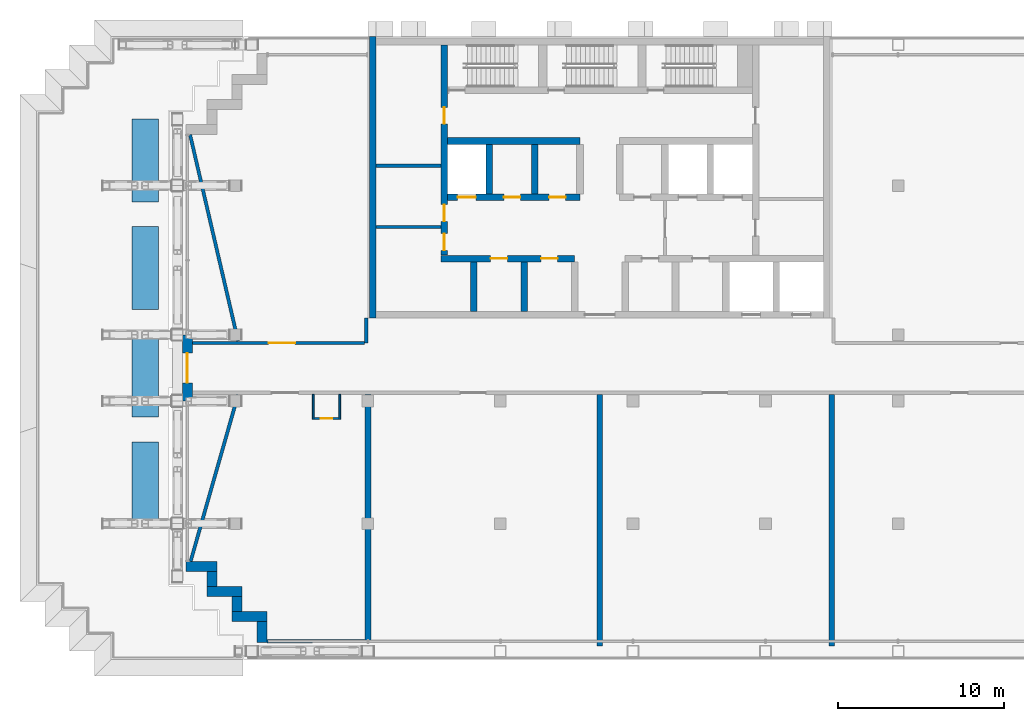
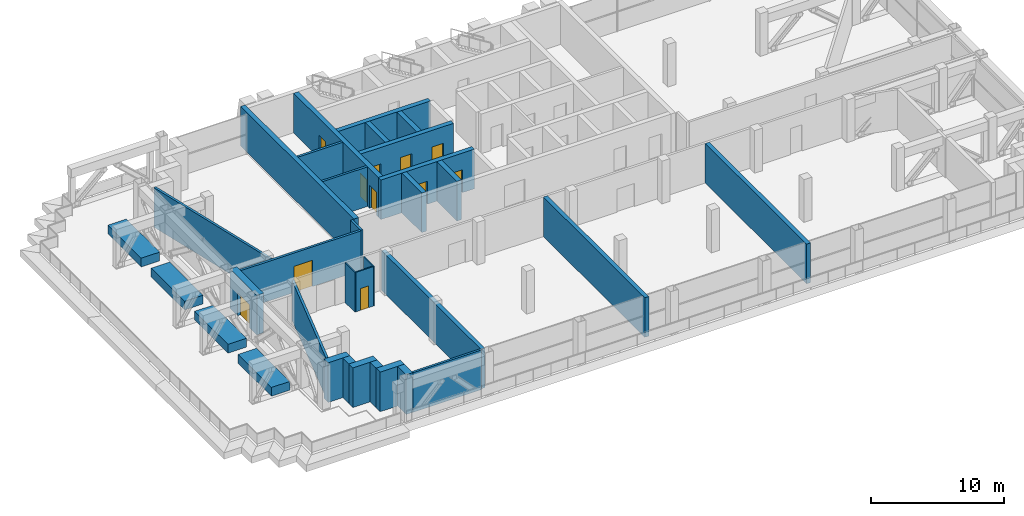
# One storey, part 7 of 21: 33 walls, 11 doors, 11 openings.
"""IFC4 building model written with IfcOpenShell, lengths in metres."""

from ifc_helpers import new_model, si_unit, direction, frame, frame_2d, origin, place, context, subcontext, project, spatial, rectangle, extrude, material, layer, layer_set, type_object, element, fill, save


model = new_model("IFC4")

# Units and contexts
model_context = context("Model", 3, precision=1e-05, world=origin(), true_north=direction((0.0, 1.0)))
body_context = subcontext(model_context, "Body", "Model", "MODEL_VIEW")
ifc_project = project(units=[si_unit("LENGTHUNIT", "METRE"), si_unit("AREAUNIT", "SQUARE_METRE"), si_unit("VOLUMEUNIT", "CUBIC_METRE"), si_unit("PLANEANGLEUNIT", "RADIAN"), si_unit("MASSUNIT", "GRAM", prefix="KILO")], contexts=[model_context])

# Site, building, storey
site_placement = place(None, origin())
site = spatial("IfcSite", under=ifc_project, at=site_placement, CompositionType="ELEMENT")
building_placement = place(site_placement, origin())
building = spatial("IfcBuilding", under=site, at=building_placement, Name="Vidyagriha Tower", CompositionType="ELEMENT")
storey_placement = place(building_placement, frame((0.0, 0.0, 161.39990234375)))
storey = spatial("IfcBuildingStorey", under=building, at=storey_placement, Name="L41", CompositionType="ELEMENT", Elevation=161.39990234375)

# Walls
ifc_material_1 = material(Name="Precast concrete C40/50 with brick facing", Category="concrete")
ifc_layer_1 = layer(ifc_material_1, 1.60009765625)
ifc_layer_set_1 = layer_set([ifc_layer_1], Name="Precast concrete C40/50 with brick facing")
wall_type_1 = type_object("IfcWallType", Name="Brick planter box 1600", PredefinedType="STANDARD", material=ifc_layer_set_1)
for number, where, z_axis, x_axis, name in (
    (1, (-27.449951171875, 15.028564453125, 0.0), (0.0, 0.0, 1.0), (0.0, -1.0, 0.0), "PLANTER L41 1"),
    (2, (-27.449951171875, 8.528564453125, 0.0), (0.0, 0.0, 1.0), (0.0, -1.0, 0.0), "PLANTER L41 2"),
    (3, (-27.449951171875, 2.028564453125, 0.0), (0.0, 0.0, 1.0), (0.0, -1.0, 0.0), "PLANTER L41 3"),
    (4, (-27.449951171875, -4.471435546875, 0.0), (0.0, 0.0, 1.0), (0.0, -1.0, 0.0), "PLANTER L41 4"),
):
    element("IfcWall", number, at=place(storey_placement, frame(where, z_axis=z_axis, x_axis=x_axis)), inside=storey, type_object=wall_type_1, Name=name, PredefinedType="STANDARD", context=body_context, shape_type="SweptSolid", body=[
        extrude(rectangle(XDim=5.0, YDim=1.60009765625, at=frame_2d((2.5, 0.0))), origin(), (0.0, 0.0, 1.0), 0.800048828125),
    ])

# Wall, opening, door
ifc_material_2 = material(Name="Precast concrete C40/50 with brick facing", Category="concrete")
ifc_layer_2 = layer(ifc_material_2, 0.60009765625)
ifc_layer_set_2 = layer_set([ifc_layer_2], Name="Precast concrete C40/50 with brick facing")
wall_type_2 = type_object("IfcWallType", Name="Brick-faced precast wall 600", PredefinedType="STANDARD", material=ifc_layer_set_2)
wall_1_placement = place(storey_placement, frame((-24.89990234375, 2.0, 0.0), z_axis=(0.0, 0.0, 1.0), x_axis=(0.0, -1.0, 0.0)))
wall_1 = element("IfcWall", 5, at=wall_1_placement, inside=storey, type_object=wall_type_2, Name="Brick door bay wall L41 R16.4", PredefinedType="STANDARD", context=body_context, shape_type="SweptSolid", body=[
    extrude(rectangle(XDim=4.0, YDim=0.60009765625, at=frame_2d((2.0, 0.0))), origin(), (0.0, 0.0, 1.0), 3.6201171875),
])
opening_1_placement = place(wall_1_placement, frame((1.10009765625, 0.0, 0.0)))
opening_1 = element("IfcOpeningElement", 6, at=opening_1_placement, cuts=wall_1, Name="Opening D41-01", PredefinedType="OPENING", context=body_context, shape_type="SweptSolid", body=[
    extrude(rectangle(XDim=1.800048828125, YDim=2.10009765625, at=frame_2d((0.89990234375, 1.050048828125))), frame((0.0, 0.31005859375, 0.0), z_axis=(0.0, -1.0, 0.0), x_axis=(1.0, 0.0, 0.0)), (0.0, 0.0, 1.0), 0.6201171875),
])
ifc_material_3 = material(Name="Aluminium and glass door", Category="aluminium")
door_type_1 = type_object("IfcDoorType", Name="Entrance double leaf glazed door 1800x2100", OperationType="NOTDEFINED", PredefinedType="DOOR", material=ifc_material_3)
door_1_placement = place(opening_1_placement, frame((1.800048828125, 0.0, 0.0), z_axis=(0.0, 0.0, 1.0), x_axis=(-1.0, 0.0, 0.0)))
door_1 = element("IfcDoor", 7, at=door_1_placement, inside=storey, type_object=door_type_1, Name="Deck door D41-01", OperationType="DOUBLE_DOOR_SINGLE_SWING", OverallHeight=2.10009765625, OverallWidth=1.800048828125, PredefinedType="DOOR", context=body_context, shape_type="SweptSolid", body=[
    extrude(rectangle(XDim=1.800048828125, YDim=2.10009765625, at=frame_2d((0.89990234375, 1.050048828125))), frame((0.0, 0.02490234375, 0.0), z_axis=(0.0, -1.0, 0.0), x_axis=(1.0, 0.0, 0.0)), (0.0, 0.0, 1.0), 0.050048828125),
])
fill(opening_1, door_1)

# Walls
wall_2_placement = place(storey_placement, frame((-24.97998046875, -12.0, 0.0)))
element("IfcWall", 8, at=wall_2_placement, inside=storey, type_object=wall_type_2, Name="Stepped corner wall L41 R17", PredefinedType="STANDARD", context=body_context, shape_type="SweptSolid", body=[
    extrude(rectangle(XDim=1.8798828125, YDim=0.60009765625, at=frame_2d((0.93994140625, 0.0))), origin(), (0.0, 0.0, 1.0), 3.6201171875),
])
wall_3_placement = place(storey_placement, frame((-23.39990234375, -12.300048828125, 0.0), z_axis=(0.0, 0.0, 1.0), x_axis=(0.0, -1.0, 0.0)))
element("IfcWall", 9, at=wall_3_placement, inside=storey, type_object=wall_type_2, Name="Stepped corner wall L41 R18", PredefinedType="STANDARD", context=body_context, shape_type="SweptSolid", body=[
    extrude(rectangle(XDim=0.89990234375, YDim=0.60009765625, at=frame_2d((0.449951171875, 0.0))), origin(), (0.0, 0.0, 1.0), 3.6201171875),
])
wall_4_placement = place(storey_placement, frame((-23.699951171875, -13.5, 0.0)))
element("IfcWall", 10, at=wall_4_placement, inside=storey, type_object=wall_type_2, Name="Stepped corner wall L41 R19", PredefinedType="STANDARD", context=body_context, shape_type="SweptSolid", body=[
    extrude(rectangle(XDim=2.099853515625, YDim=0.60009765625, at=frame_2d((1.0498046875, 0.0))), origin(), (0.0, 0.0, 1.0), 3.6201171875),
])
wall_5_placement = place(storey_placement, frame((-21.89990234375, -13.800048828125, 0.0), z_axis=(0.0, 0.0, 1.0), x_axis=(0.0, -1.0, 0.0)))
element("IfcWall", 11, at=wall_5_placement, inside=storey, type_object=wall_type_2, Name="Stepped corner wall L41 R20", PredefinedType="STANDARD", context=body_context, shape_type="SweptSolid", body=[
    extrude(rectangle(XDim=0.89990234375, YDim=0.60009765625, at=frame_2d((0.449951171875, 0.0))), origin(), (0.0, 0.0, 1.0), 3.6201171875),
])
wall_6_placement = place(storey_placement, frame((-22.199951171875, -15.0, 0.0)))
element("IfcWall", 12, at=wall_6_placement, inside=storey, type_object=wall_type_2, Name="Stepped corner wall L41 R21", PredefinedType="STANDARD", context=body_context, shape_type="SweptSolid", body=[
    extrude(rectangle(XDim=2.099853515625, YDim=0.60009765625, at=frame_2d((1.0498046875, 0.0))), origin(), (0.0, 0.0, 1.0), 3.6201171875),
])
wall_7_placement = place(storey_placement, frame((-20.39990234375, -15.300048828125, 0.0), z_axis=(0.0, 0.0, 1.0), x_axis=(0.0, -1.0, 0.0)))
element("IfcWall", 13, at=wall_7_placement, inside=storey, type_object=wall_type_2, Name="Stepped corner wall L41 R22", PredefinedType="STANDARD", context=body_context, shape_type="SweptSolid", body=[
    extrude(rectangle(XDim=1.280029296875, YDim=0.60009765625, at=frame_2d((0.64013671875, 0.0))), origin(), (0.0, 0.0, 1.0), 3.6201171875),
])
ifc_material_4 = material(Name="Concrete C60/75", Category="concrete")
ifc_layer_3 = layer(ifc_material_4, 0.39990234375)
ifc_layer_set_3 = layer_set([ifc_layer_3], Name="Concrete C60/75")
wall_type_3 = type_object("IfcWallType", Name="Core shear wall 400 mm", PredefinedType="SHEAR", material=ifc_layer_set_3)
wall_8_placement = place(storey_placement, frame((-13.699951171875, 3.0, 0.0), z_axis=(0.0, 0.0, 1.0), x_axis=(0.0, 1.0, 0.0)))
element("IfcWall", 14, at=wall_8_placement, inside=storey, type_object=wall_type_3, Name="Core west wall", PredefinedType="SHEAR", context=body_context, shape_type="SweptSolid", body=[
    extrude(rectangle(XDim=17.0, YDim=0.39990234375, at=frame_2d((8.5, 0.0))), origin(), (0.0, 0.0, 1.0), 3.6201171875),
])

# Wall, openings, doors
wall_9_placement = place(storey_placement, frame((-9.39990234375, 6.800048828125, 0.0), z_axis=(0.0, 0.0, 1.0), x_axis=(0.0, 1.0, 0.0)))
wall_9 = element("IfcWall", 15, at=wall_9_placement, inside=storey, type_object=wall_type_3, Name="Core west spine wall", PredefinedType="SHEAR", context=body_context, shape_type="SweptSolid", body=[
    extrude(rectangle(XDim=12.699951171875, YDim=0.39990234375, at=frame_2d((6.35009765625, 0.0))), origin(), (0.0, 0.0, 1.0), 3.6201171875),
])
opening_2_placement = place(wall_9_placement, frame((0.300048828125, 0.0, 0.0)))
opening_2 = element("IfcOpeningElement", 16, at=opening_2_placement, cuts=wall_9, Name="Opening D41-14", PredefinedType="OPENING", context=body_context, shape_type="SweptSolid", body=[
    extrude(rectangle(XDim=1.0, YDim=2.10009765625, at=frame_2d((0.5, 1.050048828125))), frame((0.0, 0.2099609375, 0.0), z_axis=(0.0, -1.0, 0.0), x_axis=(1.0, 0.0, 0.0)), (0.0, 0.0, 1.0), 0.419921875),
])
opening_3_placement = place(wall_9_placement, frame((2.050048828125, 0.0, 0.0)))
opening_3 = element("IfcOpeningElement", 17, at=opening_3_placement, cuts=wall_9, Name="Opening D41-15", PredefinedType="OPENING", context=body_context, shape_type="SweptSolid", body=[
    extrude(rectangle(XDim=1.0, YDim=2.10009765625, at=frame_2d((0.5, 1.050048828125))), frame((0.0, 0.2099609375, 0.0), z_axis=(0.0, -1.0, 0.0), x_axis=(1.0, 0.0, 0.0)), (0.0, 0.0, 1.0), 0.419921875),
])
opening_4_placement = place(wall_9_placement, frame((7.925048828125, 0.0, 0.0)))
opening_4 = element("IfcOpeningElement", 18, at=opening_4_placement, cuts=wall_9, Name="Opening D41-16", PredefinedType="OPENING", context=body_context, shape_type="SweptSolid", body=[
    extrude(rectangle(XDim=1.0, YDim=2.10009765625, at=frame_2d((0.5, 1.050048828125))), frame((0.0, 0.2099609375, 0.0), z_axis=(0.0, -1.0, 0.0), x_axis=(1.0, 0.0, 0.0)), (0.0, 0.0, 1.0), 0.419921875),
])
ifc_material_5 = material(Name="Hollow metal door leaf")
door_type_2 = type_object("IfcDoorType", Name="Core room door 1000 x 2100 mm EI 60", OperationType="NOTDEFINED", PredefinedType="DOOR", material=ifc_material_5)
door_2_placement = place(opening_2_placement, frame((1.0, 0.0, 0.0), z_axis=(0.0, 0.0, 1.0), x_axis=(-1.0, 0.0, 0.0)))
door_2 = element("IfcDoor", 19, at=door_2_placement, inside=storey, type_object=door_type_2, Name="Door Switchgear Room 41.W1", OperationType="SINGLE_SWING_RIGHT", OverallHeight=2.10009765625, OverallWidth=1.0, PredefinedType="DOOR", context=body_context, shape_type="SweptSolid", body=[
    extrude(rectangle(XDim=1.0, YDim=2.10009765625, at=frame_2d((0.5, 1.050048828125))), frame((0.0, 0.02490234375, 0.0), z_axis=(0.0, -1.0, 0.0), x_axis=(1.0, 0.0, 0.0)), (0.0, 0.0, 1.0), 0.050048828125),
])
fill(opening_2, door_2)
door_3_placement = place(opening_3_placement, frame((1.0, 0.0, 0.0), z_axis=(0.0, 0.0, 1.0), x_axis=(-1.0, 0.0, 0.0)))
door_3 = element("IfcDoor", 20, at=door_3_placement, inside=storey, type_object=door_type_2, Name="Door Communications Room 41.W2", OperationType="SINGLE_SWING_LEFT", OverallHeight=2.10009765625, OverallWidth=1.0, PredefinedType="DOOR", context=body_context, shape_type="SweptSolid", body=[
    extrude(rectangle(XDim=1.0, YDim=2.10009765625, at=frame_2d((0.5, 1.050048828125))), frame((0.0, 0.02490234375, 0.0), z_axis=(0.0, -1.0, 0.0), x_axis=(1.0, 0.0, 0.0)), (0.0, 0.0, 1.0), 0.050048828125),
])
fill(opening_3, door_3)
door_4_placement = place(opening_4_placement, frame((1.0, 0.0, 0.0), z_axis=(0.0, 0.0, 1.0), x_axis=(-1.0, 0.0, 0.0)))
door_4 = element("IfcDoor", 21, at=door_4_placement, inside=storey, type_object=door_type_2, Name="Door Pressurisation Plant Room 41.W3", OperationType="SINGLE_SWING_LEFT", OverallHeight=2.10009765625, OverallWidth=1.0, PredefinedType="DOOR", context=body_context, shape_type="SweptSolid", body=[
    extrude(rectangle(XDim=1.0, YDim=2.10009765625, at=frame_2d((0.5, 1.050048828125))), frame((0.0, 0.02490234375, 0.0), z_axis=(0.0, -1.0, 0.0), x_axis=(1.0, 0.0, 0.0)), (0.0, 0.0, 1.0), 0.050048828125),
])
fill(opening_4, door_4)

wall_10_placement = place(storey_placement, frame((-9.60009765625, 6.60009765625, 0.0)))
wall_10 = element("IfcWall", 22, at=wall_10_placement, inside=storey, type_object=wall_type_3, Name="Core lobby south wall west", PredefinedType="SHEAR", context=body_context, shape_type="SweptSolid", body=[
    extrude(rectangle(XDim=8.077880859375, YDim=0.39990234375, at=frame_2d((4.0390625, 0.0))), origin(), (0.0, 0.0, 1.0), 3.6201171875),
])
opening_5_placement = place(wall_10_placement, frame((3.010986328125, 0.0, 0.0)))
opening_5 = element("IfcOpeningElement", 23, at=opening_5_placement, cuts=wall_10, Name="Opening D41-03", PredefinedType="OPENING", context=body_context, shape_type="SweptSolid", body=[
    extrude(rectangle(XDim=1.0, YDim=2.10009765625, at=frame_2d((0.5, 1.050048828125))), frame((0.0, 0.2099609375, 0.0), z_axis=(0.0, -1.0, 0.0), x_axis=(1.0, 0.0, 0.0)), (0.0, 0.0, 1.0), 0.419921875),
])
opening_6_placement = place(wall_10_placement, frame((6.0556640625, 0.0, 0.0)))
opening_6 = element("IfcOpeningElement", 24, at=opening_6_placement, cuts=wall_10, Name="Opening D41-04", PredefinedType="OPENING", context=body_context, shape_type="SweptSolid", body=[
    extrude(rectangle(XDim=1.0, YDim=2.10009765625, at=frame_2d((0.5, 1.050048828125))), frame((0.0, 0.2099609375, 0.0), z_axis=(0.0, -1.0, 0.0), x_axis=(1.0, 0.0, 0.0)), (0.0, 0.0, 1.0), 0.419921875),
])
door_5_placement = place(opening_5_placement, origin())
door_5 = element("IfcDoor", 25, at=door_5_placement, inside=storey, type_object=door_type_2, Name="Door Switchgear Room 41.01", OperationType="SINGLE_SWING_RIGHT", OverallHeight=2.10009765625, OverallWidth=1.0, PredefinedType="DOOR", context=body_context, shape_type="SweptSolid", body=[
    extrude(rectangle(XDim=1.0, YDim=2.10009765625, at=frame_2d((0.5, 1.050048828125))), frame((0.0, 0.02490234375, 0.0), z_axis=(0.0, -1.0, 0.0), x_axis=(1.0, 0.0, 0.0)), (0.0, 0.0, 1.0), 0.050048828125),
])
fill(opening_5, door_5)
door_6_placement = place(opening_6_placement, origin())
door_6 = element("IfcDoor", 26, at=door_6_placement, inside=storey, type_object=door_type_2, Name="Door Storage Room 41.02", OperationType="SINGLE_SWING_RIGHT", OverallHeight=2.10009765625, OverallWidth=1.0, PredefinedType="DOOR", context=body_context, shape_type="SweptSolid", body=[
    extrude(rectangle(XDim=1.0, YDim=2.10009765625, at=frame_2d((0.5, 1.050048828125))), frame((0.0, 0.02490234375, 0.0), z_axis=(0.0, -1.0, 0.0), x_axis=(1.0, 0.0, 0.0)), (0.0, 0.0, 1.0), 0.050048828125),
])
fill(opening_6, door_6)

# Walls
for number, where, z_axis, x_axis, name in (
    (27, (-7.611083984375, 3.39990234375, 0.0), (0.0, 0.0, 1.0), (0.0, 1.0, 0.0), "Core bay wall S2"),
    (28, (-4.566650390625, 3.39990234375, 0.0), (0.0, 0.0, 1.0), (0.0, 1.0, 0.0), "Core bay wall S3"),
):
    element("IfcWall", number, at=place(storey_placement, frame(where, z_axis=z_axis, x_axis=x_axis)), inside=storey, type_object=wall_type_3, Name=name, PredefinedType="SHEAR", context=body_context, shape_type="SweptSolid", body=[
        extrude(rectangle(XDim=3.0, YDim=0.39990234375, at=frame_2d((1.5, 0.0))), origin(), (0.0, 0.0, 1.0), 3.6201171875),
    ])

# Wall, openings, doors
wall_11_placement = place(storey_placement, frame((-9.199951171875, 10.300048828125, 0.0)))
wall_11 = element("IfcWall", 29, at=wall_11_placement, inside=storey, type_object=wall_type_3, Name="Core row N front wall", PredefinedType="SHEAR", context=body_context, shape_type="SweptSolid", body=[
    extrude(rectangle(XDim=8.0, YDim=0.39990234375, at=frame_2d((4.0, 0.0))), origin(), (0.0, 0.0, 1.0), 3.6201171875),
])
opening_7_placement = place(wall_11_placement, frame((0.61669921875, 0.0, 0.0)))
opening_7 = element("IfcOpeningElement", 30, at=opening_7_placement, cuts=wall_11, Name="Opening LD41-03", PredefinedType="OPENING", context=body_context, shape_type="SweptSolid", body=[
    extrude(rectangle(XDim=1.10009765625, YDim=2.10009765625, at=frame_2d((0.550048828125, 1.050048828125))), frame((0.0, 0.2099609375, 0.0), z_axis=(0.0, -1.0, 0.0), x_axis=(1.0, 0.0, 0.0)), (0.0, 0.0, 1.0), 0.419921875),
])
opening_8_placement = place(wall_11_placement, frame((3.39990234375, 0.0, 0.0)))
opening_8 = element("IfcOpeningElement", 31, at=opening_8_placement, cuts=wall_11, Name="Opening D41-07", PredefinedType="OPENING", context=body_context, shape_type="SweptSolid", body=[
    extrude(rectangle(XDim=1.0, YDim=2.10009765625, at=frame_2d((0.5, 1.050048828125))), frame((0.0, 0.2099609375, 0.0), z_axis=(0.0, -1.0, 0.0), x_axis=(1.0, 0.0, 0.0)), (0.0, 0.0, 1.0), 0.419921875),
])
opening_9_placement = place(wall_11_placement, frame((6.13330078125, 0.0, 0.0)))
opening_9 = element("IfcOpeningElement", 32, at=opening_9_placement, cuts=wall_11, Name="Opening D41-08", PredefinedType="OPENING", context=body_context, shape_type="SweptSolid", body=[
    extrude(rectangle(XDim=1.0, YDim=2.10009765625, at=frame_2d((0.5, 1.050048828125))), frame((0.0, 0.2099609375, 0.0), z_axis=(0.0, -1.0, 0.0), x_axis=(1.0, 0.0, 0.0)), (0.0, 0.0, 1.0), 0.419921875),
])
door_7_placement = place(opening_8_placement, frame((1.0, 0.0, 0.0), z_axis=(0.0, 0.0, 1.0), x_axis=(-1.0, 0.0, 0.0)))
door_7 = element("IfcDoor", 33, at=door_7_placement, inside=storey, type_object=door_type_2, Name="Door Pressurisation Plant Room 41.14", OperationType="SINGLE_SWING_RIGHT", OverallHeight=2.10009765625, OverallWidth=1.0, PredefinedType="DOOR", context=body_context, shape_type="SweptSolid", body=[
    extrude(rectangle(XDim=1.0, YDim=2.10009765625, at=frame_2d((0.5, 1.050048828125))), frame((0.0, 0.02490234375, 0.0), z_axis=(0.0, -1.0, 0.0), x_axis=(1.0, 0.0, 0.0)), (0.0, 0.0, 1.0), 0.050048828125),
])
fill(opening_8, door_7)
door_8_placement = place(opening_9_placement, frame((1.0, 0.0, 0.0), z_axis=(0.0, 0.0, 1.0), x_axis=(-1.0, 0.0, 0.0)))
door_8 = element("IfcDoor", 34, at=door_8_placement, inside=storey, type_object=door_type_2, Name="Door Switchgear Room 41.15", OperationType="SINGLE_SWING_LEFT", OverallHeight=2.10009765625, OverallWidth=1.0, PredefinedType="DOOR", context=body_context, shape_type="SweptSolid", body=[
    extrude(rectangle(XDim=1.0, YDim=2.10009765625, at=frame_2d((0.5, 1.050048828125))), frame((0.0, 0.02490234375, 0.0), z_axis=(0.0, -1.0, 0.0), x_axis=(1.0, 0.0, 0.0)), (0.0, 0.0, 1.0), 0.050048828125),
])
fill(opening_9, door_8)
ifc_material_6 = material(Name="Stainless steel sliding door panel", Category="steel")
door_type_3 = type_object("IfcDoorType", Name="Lift landing door 1100 x 2100 mm EI 90", OperationType="NOTDEFINED", PredefinedType="DOOR", material=ifc_material_6)
door_9_placement = place(opening_7_placement, origin())
door_9 = element("IfcDoor", 35, at=door_9_placement, inside=storey, type_object=door_type_3, Name="Landing door MR3 L41", OperationType="SLIDING_TO_LEFT", OverallHeight=2.10009765625, OverallWidth=1.10009765625, PredefinedType="DOOR", context=body_context, shape_type="SweptSolid", body=[
    extrude(rectangle(XDim=1.10009765625, YDim=2.10009765625, at=frame_2d((0.550048828125, 1.050048828125))), frame((0.0, 0.02490234375, 0.0), z_axis=(0.0, -1.0, 0.0), x_axis=(1.0, 0.0, 0.0)), (0.0, 0.0, 1.0), 0.050048828125),
])
fill(opening_7, door_9)

# Walls
wall_12_placement = place(storey_placement, frame((-9.199951171875, 13.699951171875, 0.0)))
element("IfcWall", 36, at=wall_12_placement, inside=storey, type_object=wall_type_3, Name="Core row N rear wall", PredefinedType="SHEAR", context=body_context, shape_type="SweptSolid", body=[
    extrude(rectangle(XDim=8.0, YDim=0.39990234375, at=frame_2d((4.0, 0.0))), origin(), (0.0, 0.0, 1.0), 3.6201171875),
])
for number, where, z_axis, x_axis, name in (
    (37, (-6.666748046875, 10.5, 0.0), (0.0, 0.0, 1.0), (0.0, 1.0, 0.0), "Core bay wall N1"),
    (38, (-3.933349609375, 10.5, 0.0), (0.0, 0.0, 1.0), (0.0, 1.0, 0.0), "Core bay wall N2"),
):
    element("IfcWall", number, at=place(storey_placement, frame(where, z_axis=z_axis, x_axis=x_axis)), inside=storey, type_object=wall_type_3, Name=name, PredefinedType="SHEAR", context=body_context, shape_type="SweptSolid", body=[
        extrude(rectangle(XDim=3.0, YDim=0.39990234375, at=frame_2d((1.5, 0.0))), origin(), (0.0, 0.0, 1.0), 3.6201171875),
    ])
ifc_material_7 = material(Name="Blockwork 15 MPa", Category="masonry")
ifc_layer_4 = layer(ifc_material_7, 0.199951171875)
ifc_layer_set_4 = layer_set([ifc_layer_4], Name="Blockwork 15 MPa")
wall_type_4 = type_object("IfcWallType", Name="Service room partition 200 mm", PredefinedType="PARTITIONING", material=ifc_layer_set_4)
for number, where, name in (
    (39, (-13.5, 8.5, 0.0), "Core room partition W1"),
    (40, (-13.5, 12.199951171875, 0.0), "Core room partition W2"),
):
    element("IfcWall", number, at=place(storey_placement, frame(where)), inside=storey, type_object=wall_type_4, Name=name, PredefinedType="PARTITIONING", context=body_context, shape_type="SweptSolid", body=[
        extrude(rectangle(XDim=3.89990234375, YDim=0.199951171875, at=frame_2d((1.949951171875, 0.0))), origin(), (0.0, 0.0, 1.0), 3.6201171875),
    ])

# Wall, opening, door
wall_13_placement = place(storey_placement, frame((-24.60009765625, 1.5, 0.0)))
wall_13 = element("IfcWall", 41, at=wall_13_placement, inside=storey, type_object=wall_type_4, Name="Plant corridor north wall west", PredefinedType="PARTITIONING", context=body_context, shape_type="SweptSolid", body=[
    extrude(rectangle(XDim=10.400146484375, YDim=0.199951171875, at=frame_2d((5.2001953125, 0.0))), origin(), (0.0, 0.0, 1.0), 3.6201171875),
])
opening_10_placement = place(wall_13_placement, frame((4.60009765625, 0.0, 0.0)))
opening_10 = element("IfcOpeningElement", 42, at=opening_10_placement, cuts=wall_13, Name="Opening D41-24", PredefinedType="OPENING", context=body_context, shape_type="SweptSolid", body=[
    extrude(rectangle(XDim=1.60009765625, YDim=2.39990234375, at=frame_2d((0.800048828125, 1.199951171875))), frame((0.0, 0.10986328125, 0.0), z_axis=(0.0, -1.0, 0.0), x_axis=(1.0, 0.0, 0.0)), (0.0, 0.0, 1.0), 0.219970703125),
])
ifc_material_8 = material(Name="Hollow metal door leaf")
door_type_4 = type_object("IfcDoorType", Name="Plant room double door 1600 x 2400 mm EI 90", OperationType="NOTDEFINED", PredefinedType="DOOR", material=ifc_material_8)
door_10_placement = place(opening_10_placement, frame((1.60009765625, 0.0, 0.0), z_axis=(0.0, 0.0, 1.0), x_axis=(-1.0, 0.0, 0.0)))
door_10 = element("IfcDoor", 43, at=door_10_placement, inside=storey, type_object=door_type_4, Name="Door Fire Pump Room 41.W1", OperationType="DOUBLE_DOOR_SINGLE_SWING", OverallHeight=2.39990234375, OverallWidth=1.60009765625, PredefinedType="DOOR", context=body_context, shape_type="SweptSolid", body=[
    extrude(rectangle(XDim=1.60009765625, YDim=2.39990234375, at=frame_2d((0.800048828125, 1.199951171875))), frame((0.0, 0.02490234375, 0.0), z_axis=(0.0, -1.0, 0.0), x_axis=(1.0, 0.0, 0.0)), (0.0, 0.0, 1.0), 0.050048828125),
])
fill(opening_10, door_10)

# Walls
wall_14_placement = place(storey_placement, frame((-14.10009765625, 1.5, 0.0), z_axis=(0.0, 0.0, 1.0), x_axis=(0.0, 1.0, 0.0)))
element("IfcWall", 44, at=wall_14_placement, inside=storey, type_object=wall_type_4, Name="Lift hall west return wall", PredefinedType="PARTITIONING", context=body_context, shape_type="SweptSolid", body=[
    extrude(rectangle(XDim=1.5, YDim=0.199951171875, at=frame_2d((0.75, 0.0))), origin(), (0.0, 0.0, 1.0), 3.6201171875),
])
wall_15_placement = place(storey_placement, frame((-24.701904296875, -11.6748046875, 0.0), z_axis=(0.0, 0.0, 1.0), x_axis=(0.274146935361, 0.961687817242, 0.0)))
element("IfcWall", 45, at=wall_15_placement, inside=storey, type_object=wall_type_4, Name="Plant room wall", PredefinedType="PARTITIONING", context=body_context, shape_type="SweptSolid", body=[
    extrude(rectangle(XDim=10.446044921875, YDim=0.199951171875, at=frame_2d((5.22314453125, 0.0))), origin(), (0.0, 0.0, 1.0), 3.6201171875),
])
wall_16_placement = place(storey_placement, frame((-20.10009765625, -16.498291015625, 0.0), z_axis=(0.0, 0.0, 1.0), x_axis=(0.999995224865, 0.003090347434, 0.0)))
element("IfcWall", 46, at=wall_16_placement, inside=storey, type_object=wall_type_4, Name="Plant room wall", PredefinedType="PARTITIONING", context=body_context, shape_type="SweptSolid", body=[
    extrude(rectangle(XDim=5.925048828125, YDim=0.199951171875, at=frame_2d((2.96240234375, 0.0))), origin(), (0.0, 0.0, 1.0), 3.6201171875),
])
wall_17_placement = place(storey_placement, frame((-24.73486328125, 14.07666015625, 0.0), z_axis=(0.0, 0.0, 1.0), x_axis=(0.226761950661, -0.973950213169, 0.0)))
element("IfcWall", 47, at=wall_17_placement, inside=storey, type_object=wall_type_4, Name="Plant room wall", PredefinedType="PARTITIONING", context=body_context, shape_type="SweptSolid", body=[
    extrude(rectangle(XDim=12.79052734375, YDim=0.199951171875, at=frame_2d((6.395263671875, 0.0))), origin(), (0.0, 0.0, 1.0), 3.6201171875),
])
ifc_material_9 = material(Name="Blockwork 15 MPa", Category="masonry")
ifc_layer_5 = layer(ifc_material_9, 0.35009765625)
ifc_layer_set_5 = layer_set([ifc_layer_5], Name="Blockwork 15 MPa")
wall_type_5 = type_object("IfcWallType", Name="Service room partition 350 mm", PredefinedType="PARTITIONING", material=ifc_layer_set_5)
wall_18_placement = place(storey_placement, frame((-14.0, -16.5, 0.0), z_axis=(0.0, 0.0, 1.0), x_axis=(0.0, 1.0, 0.0)))
element("IfcWall", 48, at=wall_18_placement, inside=storey, type_object=wall_type_5, Name="Plant room wall", PredefinedType="PARTITIONING", context=body_context, shape_type="SweptSolid", body=[
    extrude(rectangle(XDim=14.89990234375, YDim=0.35009765625, at=frame_2d((7.449951171875, 0.0))), origin(), (0.0, 0.0, 1.0), 3.6201171875),
])
for number, where, z_axis, x_axis, name in (
    (49, (0.0, -16.800048828125, 0.0), (0.0, 0.0, 1.0), (0.0, 1.0, 0.0), "Plant room wall"),
    (50, (14.0, -16.800048828125, 0.0), (0.0, 0.0, 1.0), (0.0, 1.0, 0.0), "Plant room wall"),
):
    element("IfcWall", number, at=place(storey_placement, frame(where, z_axis=z_axis, x_axis=x_axis)), inside=storey, type_object=wall_type_5, Name=name, PredefinedType="PARTITIONING", context=body_context, shape_type="SweptSolid", body=[
        extrude(rectangle(XDim=15.199951171875, YDim=0.35009765625, at=frame_2d((7.60009765625, 0.0))), origin(), (0.0, 0.0, 1.0), 3.6201171875),
    ])
ifc_material_10 = material(Name="Gypsum shaft liner")
ifc_layer_6 = layer(ifc_material_10, 0.10009765625)
ifc_layer_set_6 = layer_set([ifc_layer_6], Name="Gypsum shaft liner")
wall_type_6 = type_object("IfcWallType", Name="Shaft liner wall 100 mm", PredefinedType="PARTITIONING", material=ifc_layer_set_6)
for number, where, z_axis, x_axis, name in (
    (51, (-17.300048828125, -1.60009765625, 0.0), (0.0, 0.0, 1.0), (0.0, -1.0, 0.0), "Riser liner wall"),
    (52, (-15.699951171875, -1.60009765625, 0.0), (0.0, 0.0, 1.0), (0.0, -1.0, 0.0), "Riser liner wall"),
):
    element("IfcWall", number, at=place(storey_placement, frame(where, z_axis=z_axis, x_axis=x_axis)), inside=storey, type_object=wall_type_6, Name=name, PredefinedType="PARTITIONING", context=body_context, shape_type="SweptSolid", body=[
        extrude(rectangle(XDim=1.5, YDim=0.10009765625, at=frame_2d((0.75, 0.0))), origin(), (0.0, 0.0, 1.0), 3.6201171875),
    ])

# Wall, opening, door
wall_19_placement = place(storey_placement, frame((-17.25, -3.050048828125, 0.0)))
wall_19 = element("IfcWall", 53, at=wall_19_placement, inside=storey, type_object=wall_type_6, Name="Riser liner wall", PredefinedType="PARTITIONING", context=body_context, shape_type="SweptSolid", body=[
    extrude(rectangle(XDim=1.5, YDim=0.10009765625, at=frame_2d((0.75, 0.0))), origin(), (0.0, 0.0, 1.0), 3.6201171875),
])
opening_11_placement = place(wall_19_placement, frame((0.39990234375, 0.0, 0.0)))
opening_11 = element("IfcOpeningElement", 54, at=opening_11_placement, cuts=wall_19, Name="Opening D41-20", PredefinedType="OPENING", context=body_context, shape_type="SweptSolid", body=[
    extrude(rectangle(XDim=0.699951171875, YDim=2.0, at=frame_2d((0.35009765625, 1.0))), frame((0.0, 0.06005859375, 0.0), z_axis=(0.0, -1.0, 0.0), x_axis=(1.0, 0.0, 0.0)), (0.0, 0.0, 1.0), 0.1201171875),
])
ifc_material_11 = material(Name="Hollow metal door leaf")
door_type_5 = type_object("IfcDoorType", Name="Riser access door 700 x 2000 mm EI 60", OperationType="NOTDEFINED", PredefinedType="DOOR", material=ifc_material_11)
door_11_placement = place(opening_11_placement, frame((0.699951171875, 0.0, 0.0), z_axis=(0.0, 0.0, 1.0), x_axis=(-1.0, 0.0, 0.0)))
door_11 = element("IfcDoor", 55, at=door_11_placement, inside=storey, type_object=door_type_5, Name="Door riser duct 41.01", OperationType="SINGLE_SWING_RIGHT", OverallHeight=2.0, OverallWidth=0.699951171875, PredefinedType="DOOR", context=body_context, shape_type="SweptSolid", body=[
    extrude(rectangle(XDim=0.699951171875, YDim=2.0, at=frame_2d((0.35009765625, 1.0))), frame((0.0, 0.02490234375, 0.0), z_axis=(0.0, -1.0, 0.0), x_axis=(1.0, 0.0, 0.0)), (0.0, 0.0, 1.0), 0.050048828125),
])
fill(opening_11, door_11)

save(model, "model.ifc")
